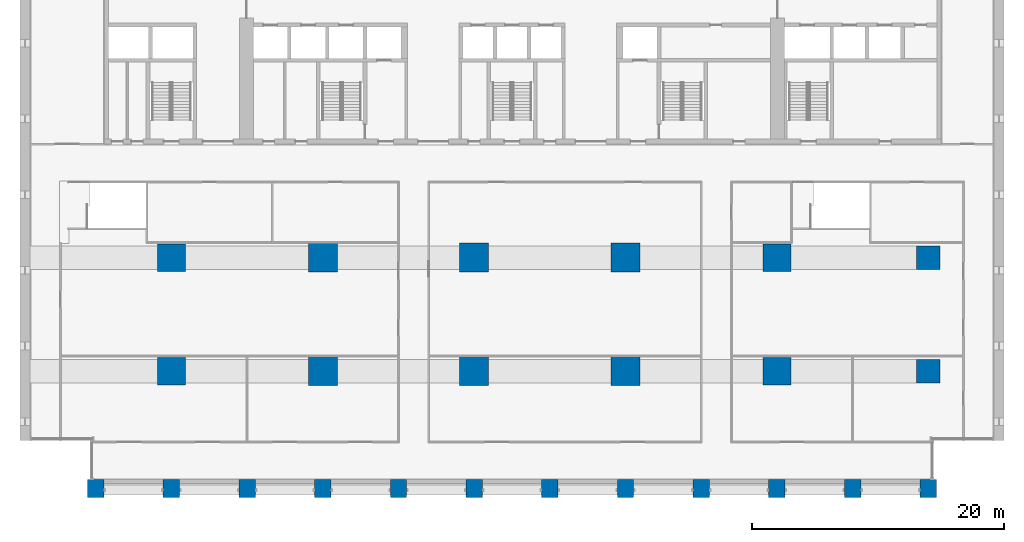
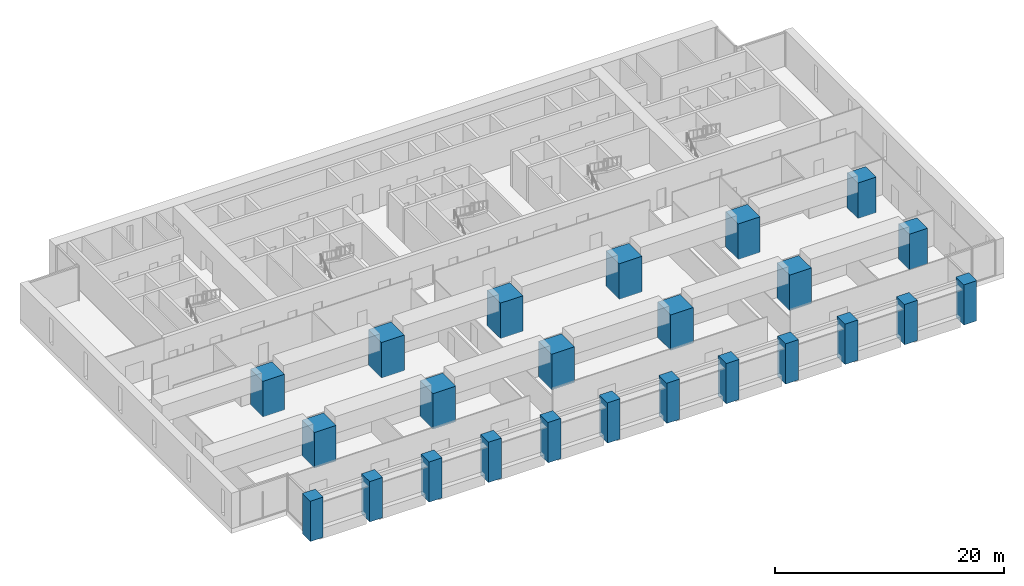
# One storey, part 1 of 17: 24 columns.
"""IFC4 building model written with IfcOpenShell, lengths in metres."""

from ifc_helpers import new_model, si_unit, direction, frame, origin, origin_2d, place, context, subcontext, project, spatial, rectangle, extrude, material, material_profile, profile_set, type_object, element, save


model = new_model("IFC4")

# Units and contexts
model_context = context("Model", 3, precision=1e-05, world=origin(), true_north=direction((0.0, 1.0)))
body_context = subcontext(model_context, "Body", "Model", "MODEL_VIEW")
ifc_project = project(units=[si_unit("LENGTHUNIT", "METRE"), si_unit("AREAUNIT", "SQUARE_METRE"), si_unit("VOLUMEUNIT", "CUBIC_METRE"), si_unit("PLANEANGLEUNIT", "RADIAN"), si_unit("MASSUNIT", "GRAM", prefix="KILO")], contexts=[model_context])

# Site, building, storey
site_placement = place(None, origin())
site = spatial("IfcSite", under=ifc_project, at=site_placement, CompositionType="ELEMENT")
building_placement = place(site_placement, origin())
building = spatial("IfcBuilding", under=site, at=building_placement, Name="Calvaro Tower", CompositionType="ELEMENT")
storey_placement = place(building_placement, frame((0.0, 0.0, 17.89990234375)))
storey = spatial("IfcBuildingStorey", under=building, at=storey_placement, Name="L03", CompositionType="ELEMENT", Elevation=17.89990234375)

# Columns
ifc_material_1 = material(Name="Concrete C80/95", Category="concrete")
ifc_material_profile_1 = material_profile(ifc_material_1, rectangle(XDim=1.85009765625, YDim=1.85009765625, at=origin_2d()), Name="RC 1850x1850")
ifc_profile_set_1 = profile_set([ifc_material_profile_1], Name="Concrete C80/95")
column_type_1 = type_object("IfcColumnType", Name="Mega-column 1850x1850 C80/95", PredefinedType="COLUMN", material=ifc_profile_set_1)
for number, where, z_axis, x_axis, name in (
    (1, (72.0, 10.0, 0.0), (0.0, 0.0, 1.0), (1.0, 0.0, 0.0), "Mega-column 13B"),
    (2, (72.0, 19.0, 0.0), (0.0, 0.0, 1.0), (1.0, 0.0, 0.0), "Mega-column 13C"),
):
    element("IfcColumn", number, at=place(storey_placement, frame(where, z_axis=z_axis, x_axis=x_axis)), inside=storey, type_object=column_type_1, Name=name, PredefinedType="COLUMN", context=body_context, shape_type="SweptSolid", body=[
        extrude(rectangle(XDim=1.85009765625, YDim=1.85009765625, at=origin_2d()), origin(), (0.0, 0.0, 1.0), 3.800048828125),
    ])
ifc_material_2 = material(Name="Concrete C80/95", Category="concrete")
ifc_material_profile_2 = material_profile(ifc_material_2, rectangle(XDim=2.199951171875, YDim=2.199951171875, at=origin_2d()), Name="RC 2200x2200")
ifc_profile_set_2 = profile_set([ifc_material_profile_2], Name="Concrete C80/95")
column_type_2 = type_object("IfcColumnType", Name="Mega-column 2200x2200 C80/95", PredefinedType="COLUMN", material=ifc_profile_set_2)
for number, where, z_axis, x_axis, name in (
    (3, (12.0, 10.0, 0.0), (0.0, 0.0, 1.0), (1.0, 0.0, 0.0), "Mega-column 3B"),
    (4, (12.0, 19.0, 0.0), (0.0, 0.0, 1.0), (1.0, 0.0, 0.0), "Mega-column 3C"),
    (5, (60.0, 10.0, 0.0), (0.0, 0.0, 1.0), (1.0, 0.0, 0.0), "Mega-column 11B"),
    (6, (60.0, 19.0, 0.0), (0.0, 0.0, 1.0), (1.0, 0.0, 0.0), "Mega-column 11C"),
):
    element("IfcColumn", number, at=place(storey_placement, frame(where, z_axis=z_axis, x_axis=x_axis)), inside=storey, type_object=column_type_2, Name=name, PredefinedType="COLUMN", context=body_context, shape_type="SweptSolid", body=[
        extrude(rectangle(XDim=2.199951171875, YDim=2.199951171875, at=origin_2d()), origin(), (0.0, 0.0, 1.0), 3.800048828125),
    ])
ifc_material_3 = material(Name="Concrete C80/95", Category="concrete")
ifc_material_profile_3 = material_profile(ifc_material_3, rectangle(XDim=2.300048828125, YDim=2.300048828125, at=origin_2d()), Name="RC 2300x2300")
ifc_profile_set_3 = profile_set([ifc_material_profile_3], Name="Concrete C80/95")
column_type_3 = type_object("IfcColumnType", Name="Mega-column 2300x2300 C80/95", PredefinedType="COLUMN", material=ifc_profile_set_3)
for number, where, z_axis, x_axis, name in (
    (7, (24.0, 10.0, 0.0), (0.0, 0.0, 1.0), (1.0, 0.0, 0.0), "Mega-column 5B"),
    (8, (24.0, 19.0, 0.0), (0.0, 0.0, 1.0), (1.0, 0.0, 0.0), "Mega-column 5C"),
    (9, (36.0, 10.0, 0.0), (0.0, 0.0, 1.0), (1.0, 0.0, 0.0), "Mega-column 7B"),
    (10, (36.0, 19.0, 0.0), (0.0, 0.0, 1.0), (1.0, 0.0, 0.0), "Mega-column 7C"),
    (11, (48.0, 10.0, 0.0), (0.0, 0.0, 1.0), (1.0, 0.0, 0.0), "Mega-column 9B"),
    (12, (48.0, 19.0, 0.0), (0.0, 0.0, 1.0), (1.0, 0.0, 0.0), "Mega-column 9C"),
):
    element("IfcColumn", number, at=place(storey_placement, frame(where, z_axis=z_axis, x_axis=x_axis)), inside=storey, type_object=column_type_3, Name=name, PredefinedType="COLUMN", context=body_context, shape_type="SweptSolid", body=[
        extrude(rectangle(XDim=2.300048828125, YDim=2.300048828125, at=origin_2d()), origin(), (0.0, 0.0, 1.0), 3.800048828125),
    ])
ifc_material_4 = material(Name="Concrete C80/95", Category="concrete")
ifc_material_profile_4 = material_profile(ifc_material_4, rectangle(XDim=1.300048828125, YDim=1.39990234375, at=origin_2d()), Name="RC 1300x1400")
ifc_profile_set_4 = profile_set([ifc_material_profile_4], Name="Concrete C80/95")
column_type_4 = type_object("IfcColumnType", Name="Pier 1300x1400 C80/95", PredefinedType="COLUMN", material=ifc_profile_set_4)
for number, where, z_axis, x_axis, name in (
    (13, (6.0, 0.699951171875, -0.5), (0.0, 0.0, 1.0), (1.0, 0.0, 0.0), "South pier 2"),
    (14, (12.0, 0.699951171875, -0.5), (0.0, 0.0, 1.0), (1.0, 0.0, 0.0), "South pier 3"),
    (15, (18.0, 0.699951171875, -0.5), (0.0, 0.0, 1.0), (1.0, 0.0, 0.0), "South pier 4"),
    (16, (24.0, 0.699951171875, -0.5), (0.0, 0.0, 1.0), (1.0, 0.0, 0.0), "South pier 5"),
    (17, (30.0, 0.699951171875, -0.5), (0.0, 0.0, 1.0), (1.0, 0.0, 0.0), "South pier 6"),
    (18, (36.0, 0.699951171875, -0.5), (0.0, 0.0, 1.0), (1.0, 0.0, 0.0), "South pier 7"),
    (19, (42.0, 0.699951171875, -0.5), (0.0, 0.0, 1.0), (1.0, 0.0, 0.0), "South pier 8"),
    (20, (48.0, 0.699951171875, -0.5), (0.0, 0.0, 1.0), (1.0, 0.0, 0.0), "South pier 9"),
    (21, (54.0, 0.699951171875, -0.5), (0.0, 0.0, 1.0), (1.0, 0.0, 0.0), "South pier 10"),
    (22, (60.0, 0.699951171875, -0.5), (0.0, 0.0, 1.0), (1.0, 0.0, 0.0), "South pier 11"),
    (23, (66.0, 0.699951171875, -0.5), (0.0, 0.0, 1.0), (1.0, 0.0, 0.0), "South pier 12"),
    (24, (72.0, 0.699951171875, -0.5), (0.0, 0.0, 1.0), (1.0, 0.0, 0.0), "South pier 13"),
):
    element("IfcColumn", number, at=place(storey_placement, frame(where, z_axis=z_axis, x_axis=x_axis)), inside=storey, type_object=column_type_4, Name=name, PredefinedType="COLUMN", context=body_context, shape_type="SweptSolid", body=[
        extrude(rectangle(XDim=1.300048828125, YDim=1.39990234375, at=origin_2d()), origin(), (0.0, 0.0, 1.0), 4.300048828125),
    ])

save(model, "model.ifc")
